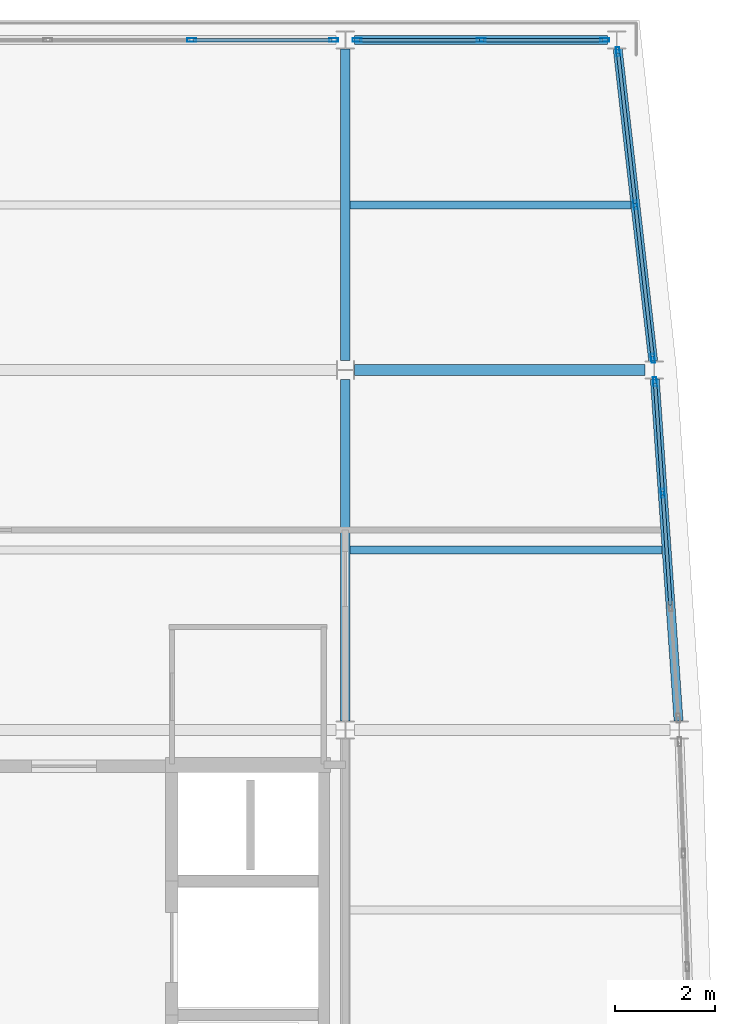
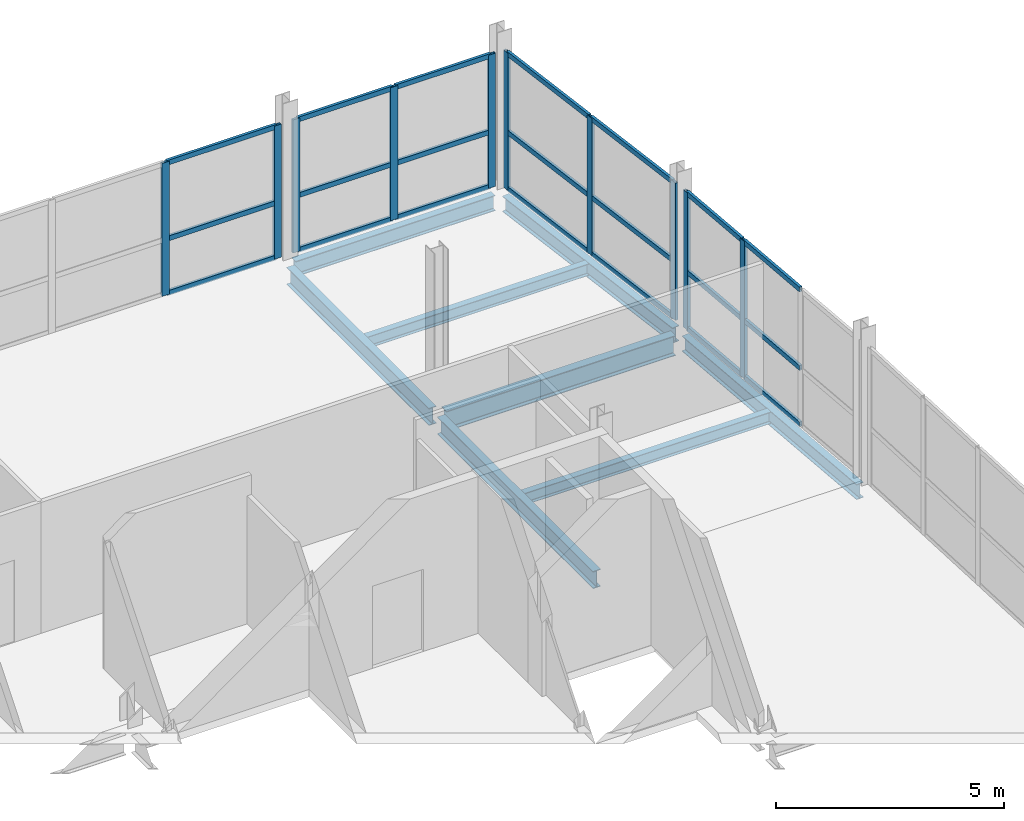
# One storey, part 9 of 16: 31 members, 8 beams, 4 elements without a shape of their own.
"""IFC4 building model written with IfcOpenShell, lengths in metres."""

import ifcopenshell
import ifcopenshell.guid

model = None  # the IFC model being written
_history = None  # IfcOwnerHistory: only IFC2X3 demands one
_inside = {}  # id of a spatial element -> (the spatial element, [elements in it])
_under = {}  # id of a project, library or spatial element -> (it, [spatial elements below it])
_declared = {}  # id of a project -> (the project, [libraries it declares])
_typed = {}  # id of a type object -> (the type object, [elements of that type])
_made_of = {}  # id of a material, layer set ... -> (it, [elements and type objects made of it])


def new_model(schema):
    """Start an empty IFC model of exactly this schema.

    Asked for "IFC4X3", IfcOpenShell would pick the latest addendum, in which some entities
    have other attributes; the version numbers below select the first issue.
    IFC2X3 requires an IfcOwnerHistory on every rooted entity: one is made here for all.
    """
    global model, _history
    if schema == "IFC4X3":
        model = ifcopenshell.file(schema_version=(4, 3, 0, 0))
    else:
        model = ifcopenshell.file(schema=schema)
    _inside.clear()
    _under.clear()
    _declared.clear()
    _typed.clear()
    _made_of.clear()
    _history = None
    if model.schema == "IFC2X3":
        org = make("IfcOrganization", Name="unknown")
        user = make(
            "IfcPersonAndOrganization",
            ThePerson=make("IfcPerson", FamilyName="unknown"),
            TheOrganization=org,
        )
        app = make(
            "IfcApplication",
            ApplicationDeveloper=org,
            Version="unknown",
            ApplicationFullName="unknown",
            ApplicationIdentifier="unknown",
        )
        _history = make(
            "IfcOwnerHistory",
            OwningUser=user,
            OwningApplication=app,
            ChangeAction="ADDED",
            CreationDate=0,
        )
    return model


def make(cls, **values):
    """One entity of the class cls with the attributes given. An attribute that is None is left unset."""
    return model.create_entity(
        cls, **{name: value for name, value in values.items() if value is not None}
    )


def rooted(cls, **values):
    """An entity with a GlobalId (a new one), such as an element, a storey or a relation."""
    return make(cls, GlobalId=ifcopenshell.guid.new(), OwnerHistory=_history, **values)


def si_unit(unit_type, name, prefix=None):
    """IfcSIUnit, for example si_unit("LENGTHUNIT", "METRE", prefix="MILLI")."""
    return make("IfcSIUnit", UnitType=unit_type, Prefix=prefix, Name=name)


def assignment(units):
    """IfcUnitAssignment: the units of a project."""
    return None if units is None else make("IfcUnitAssignment", Units=units)


def point(xyz):
    """IfcCartesianPoint."""
    return None if xyz is None else make("IfcCartesianPoint", Coordinates=xyz)


def direction(xyz):
    """IfcDirection."""
    return None if xyz is None else make("IfcDirection", DirectionRatios=xyz)


def frame(location, z_axis=None, x_axis=None):
    """IfcAxis2Placement3D, a coordinate frame: its origin and axes. An axis left out is left unset."""
    return make(
        "IfcAxis2Placement3D",
        Location=point(location),
        Axis=direction(z_axis),
        RefDirection=direction(x_axis),
    )


def frame_2d(location, x_axis=None):
    """IfcAxis2Placement2D, a coordinate frame in the plane: its origin and x axis."""
    return make(
        "IfcAxis2Placement2D", Location=point(location), RefDirection=direction(x_axis)
    )


def origin():
    """The frame at (0, 0, 0) with its axes left unset."""
    return frame((0.0, 0.0, 0.0))


def origin_2d():
    """The frame at (0, 0) in the plane with its x axis left unset."""
    return frame_2d((0.0, 0.0))


def place(relative_to, where):
    """IfcLocalPlacement: puts the frame where relative to a parent placement (None: the world)."""
    return make(
        "IfcLocalPlacement", PlacementRelTo=relative_to, RelativePlacement=where
    )


def context(
    kind, dimensions, precision=None, world=None, true_north=None, identifier=None
):
    """IfcGeometricRepresentationContext, for example the 3D "Model" context."""
    return make(
        "IfcGeometricRepresentationContext",
        ContextIdentifier=identifier,
        ContextType=kind,
        CoordinateSpaceDimension=dimensions,
        Precision=precision,
        WorldCoordinateSystem=world,
        TrueNorth=true_north,
    )


def subcontext(parent, identifier, kind, view, scale=None):
    """IfcGeometricRepresentationSubContext, for example "Body" below "Model"."""
    return make(
        "IfcGeometricRepresentationSubContext",
        ContextIdentifier=identifier,
        ContextType=kind,
        ParentContext=parent,
        TargetScale=scale,
        TargetView=view,
    )


def project(units=None, contexts=None):
    """IfcProject with its units and contexts."""
    return rooted(
        "IfcProject",
        Name="project",
        RepresentationContexts=contexts,
        UnitsInContext=assignment(units),
    )


def spatial(cls, under=None, at=None, **own):
    """A site, building, storey or space (cls), placed at a placement, below another one or the project."""
    s = rooted(cls, ObjectPlacement=at, **own)
    if under is not None:
        _under.setdefault(under.id(), (under, []))[1].append(s)
    return s


def profile(cls, at=None, kind="AREA", **sizes):
    """A parametric profile (cls). Its sizes go by their IFC names, for example OverallWidth=200.0."""
    return make(cls, ProfileType=kind, Position=at, **sizes)


def hollow_rectangle(**sizes):
    """IfcRectangleHollowProfileDef."""
    return profile("IfcRectangleHollowProfileDef", **sizes)


def i_section(**sizes):
    """IfcIShapeProfileDef."""
    return profile("IfcIShapeProfileDef", **sizes)


def extrude(swept, where, along, depth):
    """IfcExtrudedAreaSolid: the profile swept, set in the frame where, extruded along a direction by depth."""
    return make(
        "IfcExtrudedAreaSolid",
        SweptArea=swept,
        Position=where,
        ExtrudedDirection=direction(along),
        Depth=depth,
    )


def shape(context_of_items, identifier, shape_type, items):
    """IfcShapeRepresentation: the items that make up one representation, for example the "Body"."""
    return make(
        "IfcShapeRepresentation",
        ContextOfItems=context_of_items,
        RepresentationIdentifier=identifier,
        RepresentationType=shape_type,
        Items=items,
    )


def material(Name=None, Category=None):
    """IfcMaterial."""
    return make("IfcMaterial", Name=Name, Category=Category)


def layer(
    of_material, thickness, ventilated=None, Name=None, Category=None, Priority=None
):
    """IfcMaterialLayer: one layer of a wall or slab, of a material (None: an air gap)."""
    return make(
        "IfcMaterialLayer",
        Material=of_material,
        LayerThickness=thickness,
        IsVentilated=ventilated,
        Name=Name,
        Category=Category,
        Priority=Priority,
    )


def layer_set(layers, Name=None):
    """IfcMaterialLayerSet."""
    return make("IfcMaterialLayerSet", MaterialLayers=layers, LayerSetName=Name)


def material_profile(
    of_material, cross_section, Name=None, Category=None, Priority=None
):
    """IfcMaterialProfile: a cross section and its material."""
    return make(
        "IfcMaterialProfile",
        Name=Name,
        Material=of_material,
        Profile=cross_section,
        Priority=Priority,
        Category=Category,
    )


def profile_set(profiles, Name=None, composite=None):
    """IfcMaterialProfileSet."""
    return make(
        "IfcMaterialProfileSet",
        Name=Name,
        MaterialProfiles=profiles,
        CompositeProfile=composite,
    )


def made_of(thing, what):
    """Note that an element or type object is made of a material, layer set ...; save() writes the relation."""
    if what is not None:
        _made_of.setdefault(what.id(), (what, []))[1].append(thing)
    return thing


def type_object(cls, material=None, **own):
    """A type object (cls), such as IfcWallType, which elements share."""
    return made_of(rooted(cls, **own), material)


def element(
    cls,
    number,
    at=None,
    inside=None,
    cuts=None,
    type_object=None,
    material=None,
    context=None,
    identifier="Body",
    shape_type=None,
    held_by="IfcProductDefinitionShape",
    body=None,
    shapes=None,
    **own,
):
    """One element of the class cls, such as IfcWall. Its Tag is "e" and its number.

    at: its placement. inside: the storey or other place that contains it. cuts: it is an
    opening in that element (IfcRelVoidsElement). A single representation is given by context,
    identifier, shape_type and body (its items); several are given by shapes. held_by: the class
    of the entity that holds the representations. save() writes the other relations.
    """
    e = rooted(cls, Tag="e%d" % number, ObjectPlacement=at, **own)
    if body is not None:
        shapes = [shape(context, identifier, shape_type, body)]
    if shapes is not None:
        e.Representation = make(held_by, Representations=shapes)
    if inside is not None:
        _inside.setdefault(inside.id(), (inside, []))[1].append(e)
    if cuts is not None:
        rooted(
            "IfcRelVoidsElement", RelatingBuildingElement=cuts, RelatedOpeningElement=e
        )
    if type_object is not None:
        _typed.setdefault(type_object.id(), (type_object, []))[1].append(e)
    return made_of(e, material)


def aggregate(whole, parts):
    """IfcRelAggregates: a whole, such as a stair, and the parts it consists of."""
    return rooted("IfcRelAggregates", RelatingObject=whole, RelatedObjects=parts)


def save(model, path):
    """Write the relations noted so far, then the file.

    IfcRelAggregates (storeys below a building ...), IfcRelContainedInSpatialStructure (elements
    in a storey), IfcRelDefinesByType, IfcRelAssociatesMaterial and IfcRelDeclares: one each for
    every whole, place, type object, material and project.
    """
    for whole, parts in _under.values():
        aggregate(whole, parts)
    for where, things in _inside.values():
        rooted(
            "IfcRelContainedInSpatialStructure",
            RelatedElements=things,
            RelatingStructure=where,
        )
    for kind, things in _typed.values():
        rooted("IfcRelDefinesByType", RelatedObjects=things, RelatingType=kind)
    for what, things in _made_of.values():
        rooted("IfcRelAssociatesMaterial", RelatedObjects=things, RelatingMaterial=what)
    for by, libraries in _declared.values():
        rooted("IfcRelDeclares", RelatingContext=by, RelatedDefinitions=libraries)
    model.write(path)


model = new_model("IFC4")

# Units and contexts
model_context = context("Model", 3, precision=1e-05, world=origin(), true_north=direction((0.0, 1.0)))
body_context = subcontext(model_context, "Body", "Model", "MODEL_VIEW")
ifc_project = project(units=[si_unit("LENGTHUNIT", "METRE"), si_unit("AREAUNIT", "SQUARE_METRE"), si_unit("VOLUMEUNIT", "CUBIC_METRE"), si_unit("PLANEANGLEUNIT", "RADIAN"), si_unit("MASSUNIT", "GRAM", prefix="KILO")], contexts=[model_context])

# Site, building, storey
site_placement = place(None, origin())
site = spatial("IfcSite", under=ifc_project, at=site_placement, CompositionType="ELEMENT")
building_placement = place(site_placement, origin())
building = spatial("IfcBuilding", under=site, at=building_placement, Name="Quillay Park Conservatory", CompositionType="ELEMENT")
storey_placement = place(building_placement, frame((0.0, 0.0, 43.5)))
storey = spatial("IfcBuildingStorey", under=building, at=storey_placement, Name="L10", CompositionType="ELEMENT", Elevation=43.5)

# Beams
ifc_material_1 = material(Name="Steel ASTM A992 Grade 50", Category="steel")
ifc_material_profile_1 = material_profile(ifc_material_1, i_section(OverallWidth=0.166015625, OverallDepth=0.31298828125, WebThickness=0.006591796875, FlangeThickness=0.01123046875, FilletRadius=0.010009765625, at=origin_2d()), Name="W310x45")
ifc_profile_set_1 = profile_set([ifc_material_profile_1], Name="Steel ASTM A992 Grade 50")
beam_type_1 = type_object("IfcBeamType", Name="COMPOSITE FLOOR JOIST W310 X45", PredefinedType="JOIST", material=ifc_profile_set_1)
beam_1_placement = place(storey_placement, frame((19.845947265625, 103.199951171875, -0.3564453125), z_axis=(1.0, 0.0, 0.0), x_axis=(0.0, 1.0, 0.0)))
element("IfcBeam", 1, at=beam_1_placement, inside=storey, type_object=beam_type_1, Name="L10 beam BM-J-0759", PredefinedType="JOIST", context=body_context, shape_type="SweptSolid", body=[
    extrude(i_section(OverallWidth=0.166015625, OverallDepth=0.31298828125, WebThickness=0.006591796875, FlangeThickness=0.01123046875, FilletRadius=0.010009765625, at=origin_2d()), origin(), (0.0, 0.0, 1.0), 6.239013671875),
])
beam_2_placement = place(storey_placement, frame((19.845947265625, 110.10009765625, -0.3564453125), z_axis=(1.0, 0.0, 0.0), x_axis=(0.0, 1.0, 0.0)))
element("IfcBeam", 2, at=beam_2_placement, inside=storey, type_object=beam_type_1, Name="L10 beam BM-J-0766", PredefinedType="JOIST", context=body_context, shape_type="SweptSolid", body=[
    extrude(i_section(OverallWidth=0.166015625, OverallDepth=0.31298828125, WebThickness=0.006591796875, FlangeThickness=0.01123046875, FilletRadius=0.010009765625, at=origin_2d()), origin(), (0.0, 0.0, 1.0), 5.614013671875),
])

# Curtain wall, members
ifc_material_2 = material(Name="Thermally Broken Anodised Aluminium 6063-T6", Category="aluminium")
ifc_layer = layer(ifc_material_2, 0.179931640625)
ifc_layer_set = layer_set([ifc_layer], Name="UNITISED CURTAIN WALL TOWER (Thermally Broken Anodised Aluminium 6063-T6)")
curtain_wall_type = type_object("IfcCurtainWallType", Name="UNITISED CURTAIN WALL TOWER", PredefinedType="USERDEFINED", material=ifc_layer_set)
curtain_wall_1_placement = place(storey_placement, origin())
curtain_wall_1 = element("IfcCurtainWall", 3, at=curtain_wall_1_placement, inside=storey, type_object=curtain_wall_type, Name="L10 Unitised Curtain Wall 100", ObjectType="UNITISED CURTAIN WALL", PredefinedType="USERDEFINED")
ifc_material_3 = material(Name="Thermally Broken Anodised Aluminium 6063-T6", Category="aluminium")
ifc_material_profile_2 = material_profile(ifc_material_3, hollow_rectangle(XDim=0.070068359375, YDim=0.179931640625, WallThickness=0.00390625, at=origin_2d()), Name="AL70x180x4")
ifc_profile_set_2 = profile_set([ifc_material_profile_2], Name="Thermally Broken Anodised Aluminium 6063-T6")
member_type_1 = type_object("IfcMemberType", Name="CURTAIN WALL MULLION 70 X180", PredefinedType="MULLION", material=ifc_profile_set_2)
member_1_placement = place(storey_placement, frame((25.94140625, 106.565673828125, 0.0), z_axis=(0.0, 0.0, 1.0), x_axis=(0.99759835015, 0.069264217159, 0.0)))
member_1 = element("IfcMember", 4, at=member_1_placement, type_object=member_type_1, Name="CW-T1 mullion 1", PredefinedType="MULLION", context=body_context, shape_type="SweptSolid", body=[
    extrude(hollow_rectangle(XDim=0.070068359375, YDim=0.179931640625, WallThickness=0.00390625, at=origin_2d()), origin(), (0.0, 0.0, 1.0), 3.677001953125),
])
member_2_placement = place(storey_placement, frame((26.09619140625, 104.33349609375, 0.0), z_axis=(0.0, 0.0, 1.0), x_axis=(0.99759835015, 0.069264217159, 0.0)))
member_2 = element("IfcMember", 5, at=member_2_placement, type_object=member_type_1, Name="CW-T1 mullion 2", PredefinedType="MULLION", context=body_context, shape_type="SweptSolid", body=[
    extrude(hollow_rectangle(XDim=0.070068359375, YDim=0.179931640625, WallThickness=0.00390625, at=origin_2d()), origin(), (0.0, 0.0, 1.0), 3.677001953125),
])

curtain_wall_2_placement = place(storey_placement, origin())
curtain_wall_2 = element("IfcCurtainWall", 6, at=curtain_wall_2_placement, inside=storey, type_object=curtain_wall_type, Name="L10 Unitised Curtain Wall 101", ObjectType="UNITISED CURTAIN WALL", PredefinedType="USERDEFINED")
member_3_placement = place(storey_placement, frame((25.20166015625, 113.16650390625, 0.0), z_axis=(0.0, 0.0, 1.0), x_axis=(0.993605989969, 0.112903218278, 0.0)))
member_3 = element("IfcMember", 7, at=member_3_placement, type_object=member_type_1, Name="CW-T1 mullion 1", PredefinedType="MULLION", context=body_context, shape_type="SweptSolid", body=[
    extrude(hollow_rectangle(XDim=0.070068359375, YDim=0.179931640625, WallThickness=0.00390625, at=origin_2d()), origin(), (0.0, 0.0, 1.0), 3.677001953125),
])
member_4_placement = place(storey_placement, frame((25.550048828125, 110.10009765625, 0.0), z_axis=(0.0, 0.0, 1.0), x_axis=(0.993605989969, 0.112903218278, 0.0)))
member_4 = element("IfcMember", 8, at=member_4_placement, type_object=member_type_1, Name="CW-T1 mullion 2", PredefinedType="MULLION", context=body_context, shape_type="SweptSolid", body=[
    extrude(hollow_rectangle(XDim=0.070068359375, YDim=0.179931640625, WallThickness=0.00390625, at=origin_2d()), origin(), (0.0, 0.0, 1.0), 3.677001953125),
])
member_5_placement = place(storey_placement, frame((25.8984375, 107.033447265625, 0.0), z_axis=(0.0, 0.0, 1.0), x_axis=(0.993605989969, 0.112903218278, 0.0)))
member_5 = element("IfcMember", 9, at=member_5_placement, type_object=member_type_1, Name="CW-T1 mullion 3", PredefinedType="MULLION", context=body_context, shape_type="SweptSolid", body=[
    extrude(hollow_rectangle(XDim=0.070068359375, YDim=0.179931640625, WallThickness=0.00390625, at=origin_2d()), origin(), (0.0, 0.0, 1.0), 3.677001953125),
])

curtain_wall_3_placement = place(storey_placement, origin())
curtain_wall_3 = element("IfcCurtainWall", 10, at=curtain_wall_3_placement, inside=storey, type_object=curtain_wall_type, Name="L10 Unitised Curtain Wall 103", ObjectType="UNITISED CURTAIN WALL", PredefinedType="USERDEFINED")
member_6_placement = place(storey_placement, frame((16.675048828125, 113.39990234375, 0.0), z_axis=(0.0, 0.0, 1.0), x_axis=(0.0, 1.0, 0.0)))
member_6 = element("IfcMember", 11, at=member_6_placement, type_object=member_type_1, Name="CW-T1 mullion 4", PredefinedType="MULLION", context=body_context, shape_type="SweptSolid", body=[
    extrude(hollow_rectangle(XDim=0.070068359375, YDim=0.179931640625, WallThickness=0.00390625, at=origin_2d()), origin(), (0.0, 0.0, 1.0), 3.56396484375),
])
member_7_placement = place(storey_placement, frame((19.514892578125, 113.39990234375, 0.0), z_axis=(0.0, 0.0, 1.0), x_axis=(0.0, 1.0, 0.0)))
member_7 = element("IfcMember", 12, at=member_7_placement, type_object=member_type_1, Name="CW-T1 mullion 5", PredefinedType="MULLION", context=body_context, shape_type="SweptSolid", body=[
    extrude(hollow_rectangle(XDim=0.070068359375, YDim=0.179931640625, WallThickness=0.00390625, at=origin_2d()), origin(), (0.0, 0.0, 1.0), 3.56396484375),
])

curtain_wall_4_placement = place(storey_placement, origin())
curtain_wall_4 = element("IfcCurtainWall", 13, at=curtain_wall_4_placement, inside=storey, type_object=curtain_wall_type, Name="L10 Unitised Curtain Wall 104", ObjectType="UNITISED CURTAIN WALL", PredefinedType="USERDEFINED")
member_8_placement = place(storey_placement, frame((19.985107421875, 113.39990234375, 0.0), z_axis=(0.0, 0.0, 1.0), x_axis=(0.0, 1.0, 0.0)))
member_8 = element("IfcMember", 14, at=member_8_placement, type_object=member_type_1, Name="CW-T1 mullion 1", PredefinedType="MULLION", context=body_context, shape_type="SweptSolid", body=[
    extrude(hollow_rectangle(XDim=0.070068359375, YDim=0.179931640625, WallThickness=0.00390625, at=origin_2d()), origin(), (0.0, 0.0, 1.0), 3.56396484375),
])
member_9_placement = place(storey_placement, frame((22.46240234375, 113.39990234375, 0.0), z_axis=(0.0, 0.0, 1.0), x_axis=(0.0, 1.0, 0.0)))
member_9 = element("IfcMember", 15, at=member_9_placement, type_object=member_type_1, Name="CW-T1 mullion 2", PredefinedType="MULLION", context=body_context, shape_type="SweptSolid", body=[
    extrude(hollow_rectangle(XDim=0.070068359375, YDim=0.179931640625, WallThickness=0.00390625, at=origin_2d()), origin(), (0.0, 0.0, 1.0), 3.56396484375),
])
member_10_placement = place(storey_placement, frame((24.93994140625, 113.39990234375, 0.0), z_axis=(0.0, 0.0, 1.0), x_axis=(0.0, 1.0, 0.0)))
member_10 = element("IfcMember", 16, at=member_10_placement, type_object=member_type_1, Name="CW-T1 mullion 3", PredefinedType="MULLION", context=body_context, shape_type="SweptSolid", body=[
    extrude(hollow_rectangle(XDim=0.070068359375, YDim=0.179931640625, WallThickness=0.00390625, at=origin_2d()), origin(), (0.0, 0.0, 1.0), 3.56396484375),
])

# Member
ifc_material_4 = material(Name="Thermally Broken Anodised Aluminium 6063-T6", Category="aluminium")
ifc_material_profile_3 = material_profile(ifc_material_4, hollow_rectangle(XDim=0.070068359375, YDim=0.1298828125, WallThickness=0.003173828125, at=origin_2d()), Name="AL70x130x3.2")
ifc_profile_set_3 = profile_set([ifc_material_profile_3], Name="Thermally Broken Anodised Aluminium 6063-T6")
member_type_2 = type_object("IfcMemberType", Name="CURTAIN WALL TRANSOM 70 X130", PredefinedType="USERDEFINED", material=ifc_profile_set_3)
member_11_placement = place(storey_placement, frame((25.94384765625, 106.53076171875, 0.034912109375), z_axis=(0.069269814421, -0.997597961511, 0.0), x_axis=(0.997597961511, 0.069269814421, 0.0)))
member_11 = element("IfcMember", 17, at=member_11_placement, type_object=member_type_2, Name="CW-T1 transom 1.1", ObjectType="TRANSOM", PredefinedType="USERDEFINED", context=body_context, shape_type="SweptSolid", body=[
    extrude(hollow_rectangle(XDim=0.070068359375, YDim=0.1298828125, WallThickness=0.003173828125, at=origin_2d()), origin(), (0.0, 0.0, 1.0), 2.16748046875),
])

member_12_placement = place(storey_placement, frame((25.94384765625, 106.53076171875, 1.544189453125), z_axis=(0.069269814421, -0.997597961511, 0.0), x_axis=(0.997597961511, 0.069269814421, 0.0)))
member_12 = element("IfcMember", 18, at=member_12_placement, type_object=member_type_2, Name="CW-T1 transom 1.2", ObjectType="TRANSOM", PredefinedType="USERDEFINED", context=body_context, shape_type="SweptSolid", body=[
    extrude(hollow_rectangle(XDim=0.070068359375, YDim=0.1298828125, WallThickness=0.003173828125, at=origin_2d()), origin(), (0.0, 0.0, 1.0), 2.16748046875),
])

member_13_placement = place(storey_placement, frame((25.94384765625, 106.53076171875, 3.64208984375), z_axis=(0.069269814421, -0.997597961511, 0.0), x_axis=(0.997597961511, 0.069269814421, 0.0)))
member_13 = element("IfcMember", 19, at=member_13_placement, type_object=member_type_2, Name="CW-T1 transom 1.3", ObjectType="TRANSOM", PredefinedType="USERDEFINED", context=body_context, shape_type="SweptSolid", body=[
    extrude(hollow_rectangle(XDim=0.070068359375, YDim=0.1298828125, WallThickness=0.003173828125, at=origin_2d()), origin(), (0.0, 0.0, 1.0), 2.16748046875),
])

member_14_placement = place(storey_placement, frame((26.0986328125, 104.298583984375, 0.034912109375), z_axis=(0.069277598678, -0.997597420968, 0.0), x_axis=(0.997597420968, 0.069277598678, 0.0)))
member_14 = element("IfcMember", 20, at=member_14_placement, type_object=member_type_2, Name="CW-T1 transom 2.1", ObjectType="TRANSOM", PredefinedType="USERDEFINED", context=body_context, shape_type="SweptSolid", body=[
    extrude(hollow_rectangle(XDim=0.070068359375, YDim=0.1298828125, WallThickness=0.003173828125, at=origin_2d()), origin(), (0.0, 0.0, 1.0), 2.20263671875),
])

member_15_placement = place(storey_placement, frame((26.0986328125, 104.298583984375, 1.544189453125), z_axis=(0.069277598678, -0.997597420968, 0.0), x_axis=(0.997597420968, 0.069277598678, 0.0)))
member_15 = element("IfcMember", 21, at=member_15_placement, type_object=member_type_2, Name="CW-T1 transom 2.2", ObjectType="TRANSOM", PredefinedType="USERDEFINED", context=body_context, shape_type="SweptSolid", body=[
    extrude(hollow_rectangle(XDim=0.070068359375, YDim=0.1298828125, WallThickness=0.003173828125, at=origin_2d()), origin(), (0.0, 0.0, 1.0), 2.20263671875),
])

member_16_placement = place(storey_placement, frame((26.0986328125, 104.298583984375, 3.64208984375), z_axis=(0.069277598678, -0.997597420968, 0.0), x_axis=(0.997597420968, 0.069277598678, 0.0)))
member_16 = element("IfcMember", 22, at=member_16_placement, type_object=member_type_2, Name="CW-T1 transom 2.3", ObjectType="TRANSOM", PredefinedType="USERDEFINED", context=body_context, shape_type="SweptSolid", body=[
    extrude(hollow_rectangle(XDim=0.070068359375, YDim=0.1298828125, WallThickness=0.003173828125, at=origin_2d()), origin(), (0.0, 0.0, 1.0), 2.20263671875),
])

aggregate(curtain_wall_1, [member_1, member_2, member_11, member_12, member_13, member_14, member_15, member_16])

member_17_placement = place(storey_placement, frame((25.20556640625, 113.1318359375, 0.034912109375), z_axis=(0.112909688044, -0.99360525479, 0.0), x_axis=(0.99360525479, 0.112909688044, 0.0)))
member_17 = element("IfcMember", 23, at=member_17_placement, type_object=member_type_2, Name="CW-T1 transom 1.1", ObjectType="TRANSOM", PredefinedType="USERDEFINED", context=body_context, shape_type="SweptSolid", body=[
    extrude(hollow_rectangle(XDim=0.070068359375, YDim=0.1298828125, WallThickness=0.003173828125, at=origin_2d()), origin(), (0.0, 0.0, 1.0), 3.016357421875),
])

member_18_placement = place(storey_placement, frame((25.20556640625, 113.1318359375, 1.544189453125), z_axis=(0.112909688044, -0.99360525479, 0.0), x_axis=(0.99360525479, 0.112909688044, 0.0)))
member_18 = element("IfcMember", 24, at=member_18_placement, type_object=member_type_2, Name="CW-T1 transom 1.2", ObjectType="TRANSOM", PredefinedType="USERDEFINED", context=body_context, shape_type="SweptSolid", body=[
    extrude(hollow_rectangle(XDim=0.070068359375, YDim=0.1298828125, WallThickness=0.003173828125, at=origin_2d()), origin(), (0.0, 0.0, 1.0), 3.016357421875),
])

member_19_placement = place(storey_placement, frame((25.20556640625, 113.1318359375, 3.64208984375), z_axis=(0.112909688044, -0.99360525479, 0.0), x_axis=(0.99360525479, 0.112909688044, 0.0)))
member_19 = element("IfcMember", 25, at=member_19_placement, type_object=member_type_2, Name="CW-T1 transom 1.3", ObjectType="TRANSOM", PredefinedType="USERDEFINED", context=body_context, shape_type="SweptSolid", body=[
    extrude(hollow_rectangle(XDim=0.070068359375, YDim=0.1298828125, WallThickness=0.003173828125, at=origin_2d()), origin(), (0.0, 0.0, 1.0), 3.016357421875),
])

member_20_placement = place(storey_placement, frame((25.553955078125, 110.065185546875, 0.034912109375), z_axis=(0.112918769109, -0.993604222808, 0.0), x_axis=(0.993604222808, 0.112918769109, 0.0)))
member_20 = element("IfcMember", 26, at=member_20_placement, type_object=member_type_2, Name="CW-T1 transom 2.1", ObjectType="TRANSOM", PredefinedType="USERDEFINED", context=body_context, shape_type="SweptSolid", body=[
    extrude(hollow_rectangle(XDim=0.070068359375, YDim=0.1298828125, WallThickness=0.003173828125, at=origin_2d()), origin(), (0.0, 0.0, 1.0), 3.01611328125),
])

member_21_placement = place(storey_placement, frame((25.553955078125, 110.065185546875, 1.544189453125), z_axis=(0.112918769109, -0.993604222808, 0.0), x_axis=(0.993604222808, 0.112918769109, 0.0)))
member_21 = element("IfcMember", 27, at=member_21_placement, type_object=member_type_2, Name="CW-T1 transom 2.2", ObjectType="TRANSOM", PredefinedType="USERDEFINED", context=body_context, shape_type="SweptSolid", body=[
    extrude(hollow_rectangle(XDim=0.070068359375, YDim=0.1298828125, WallThickness=0.003173828125, at=origin_2d()), origin(), (0.0, 0.0, 1.0), 3.01611328125),
])

member_22_placement = place(storey_placement, frame((25.553955078125, 110.065185546875, 3.64208984375), z_axis=(0.112918769109, -0.993604222808, 0.0), x_axis=(0.993604222808, 0.112918769109, 0.0)))
member_22 = element("IfcMember", 28, at=member_22_placement, type_object=member_type_2, Name="CW-T1 transom 2.3", ObjectType="TRANSOM", PredefinedType="USERDEFINED", context=body_context, shape_type="SweptSolid", body=[
    extrude(hollow_rectangle(XDim=0.070068359375, YDim=0.1298828125, WallThickness=0.003173828125, at=origin_2d()), origin(), (0.0, 0.0, 1.0), 3.01611328125),
])

aggregate(curtain_wall_2, [member_3, member_4, member_5, member_17, member_18, member_19, member_20, member_21, member_22])

member_23_placement = place(storey_placement, frame((16.7099609375, 113.39990234375, 0.034912109375), z_axis=(1.0, 0.0, 0.0), x_axis=(0.0, 1.0, 0.0)))
member_23 = element("IfcMember", 29, at=member_23_placement, type_object=member_type_2, Name="CW-T1 transom 4.1", ObjectType="TRANSOM", PredefinedType="USERDEFINED", context=body_context, shape_type="SweptSolid", body=[
    extrude(hollow_rectangle(XDim=0.070068359375, YDim=0.1298828125, WallThickness=0.003173828125, at=origin_2d()), origin(), (0.0, 0.0, 1.0), 2.77001953125),
])

member_24_placement = place(storey_placement, frame((16.7099609375, 113.39990234375, 1.496826171875), z_axis=(1.0, 0.0, 0.0), x_axis=(0.0, 1.0, 0.0)))
member_24 = element("IfcMember", 30, at=member_24_placement, type_object=member_type_2, Name="CW-T1 transom 4.2", ObjectType="TRANSOM", PredefinedType="USERDEFINED", context=body_context, shape_type="SweptSolid", body=[
    extrude(hollow_rectangle(XDim=0.070068359375, YDim=0.1298828125, WallThickness=0.003173828125, at=origin_2d()), origin(), (0.0, 0.0, 1.0), 2.77001953125),
])

member_25_placement = place(storey_placement, frame((16.7099609375, 113.39990234375, 3.529052734375), z_axis=(1.0, 0.0, 0.0), x_axis=(0.0, 1.0, 0.0)))
member_25 = element("IfcMember", 31, at=member_25_placement, type_object=member_type_2, Name="CW-T1 transom 4.3", ObjectType="TRANSOM", PredefinedType="USERDEFINED", context=body_context, shape_type="SweptSolid", body=[
    extrude(hollow_rectangle(XDim=0.070068359375, YDim=0.1298828125, WallThickness=0.003173828125, at=origin_2d()), origin(), (0.0, 0.0, 1.0), 2.77001953125),
])

aggregate(curtain_wall_3, [member_6, member_7, member_23, member_24, member_25])

member_26_placement = place(storey_placement, frame((20.02001953125, 113.39990234375, 0.034912109375), z_axis=(1.0, 0.0, 0.0), x_axis=(0.0, 1.0, 0.0)))
member_26 = element("IfcMember", 32, at=member_26_placement, type_object=member_type_2, Name="CW-T1 transom 1.1", ObjectType="TRANSOM", PredefinedType="USERDEFINED", context=body_context, shape_type="SweptSolid", body=[
    extrude(hollow_rectangle(XDim=0.070068359375, YDim=0.1298828125, WallThickness=0.003173828125, at=origin_2d()), origin(), (0.0, 0.0, 1.0), 2.407470703125),
])

member_27_placement = place(storey_placement, frame((20.02001953125, 113.39990234375, 1.496826171875), z_axis=(1.0, 0.0, 0.0), x_axis=(0.0, 1.0, 0.0)))
member_27 = element("IfcMember", 33, at=member_27_placement, type_object=member_type_2, Name="CW-T1 transom 1.2", ObjectType="TRANSOM", PredefinedType="USERDEFINED", context=body_context, shape_type="SweptSolid", body=[
    extrude(hollow_rectangle(XDim=0.070068359375, YDim=0.1298828125, WallThickness=0.003173828125, at=origin_2d()), origin(), (0.0, 0.0, 1.0), 2.407470703125),
])

member_28_placement = place(storey_placement, frame((20.02001953125, 113.39990234375, 3.529052734375), z_axis=(1.0, 0.0, 0.0), x_axis=(0.0, 1.0, 0.0)))
member_28 = element("IfcMember", 34, at=member_28_placement, type_object=member_type_2, Name="CW-T1 transom 1.3", ObjectType="TRANSOM", PredefinedType="USERDEFINED", context=body_context, shape_type="SweptSolid", body=[
    extrude(hollow_rectangle(XDim=0.070068359375, YDim=0.1298828125, WallThickness=0.003173828125, at=origin_2d()), origin(), (0.0, 0.0, 1.0), 2.407470703125),
])

member_29_placement = place(storey_placement, frame((22.49755859375, 113.39990234375, 0.034912109375), z_axis=(1.0, 0.0, 0.0), x_axis=(0.0, 1.0, 0.0)))
member_29 = element("IfcMember", 35, at=member_29_placement, type_object=member_type_2, Name="CW-T1 transom 2.1", ObjectType="TRANSOM", PredefinedType="USERDEFINED", context=body_context, shape_type="SweptSolid", body=[
    extrude(hollow_rectangle(XDim=0.070068359375, YDim=0.1298828125, WallThickness=0.003173828125, at=origin_2d()), origin(), (0.0, 0.0, 1.0), 2.407470703125),
])

member_30_placement = place(storey_placement, frame((22.49755859375, 113.39990234375, 1.496826171875), z_axis=(1.0, 0.0, 0.0), x_axis=(0.0, 1.0, 0.0)))
member_30 = element("IfcMember", 36, at=member_30_placement, type_object=member_type_2, Name="CW-T1 transom 2.2", ObjectType="TRANSOM", PredefinedType="USERDEFINED", context=body_context, shape_type="SweptSolid", body=[
    extrude(hollow_rectangle(XDim=0.070068359375, YDim=0.1298828125, WallThickness=0.003173828125, at=origin_2d()), origin(), (0.0, 0.0, 1.0), 2.407470703125),
])

member_31_placement = place(storey_placement, frame((22.49755859375, 113.39990234375, 3.529052734375), z_axis=(1.0, 0.0, 0.0), x_axis=(0.0, 1.0, 0.0)))
member_31 = element("IfcMember", 37, at=member_31_placement, type_object=member_type_2, Name="CW-T1 transom 2.3", ObjectType="TRANSOM", PredefinedType="USERDEFINED", context=body_context, shape_type="SweptSolid", body=[
    extrude(hollow_rectangle(XDim=0.070068359375, YDim=0.1298828125, WallThickness=0.003173828125, at=origin_2d()), origin(), (0.0, 0.0, 1.0), 2.407470703125),
])

aggregate(curtain_wall_4, [member_8, member_9, member_10, member_26, member_27, member_28, member_29, member_30, member_31])

# Beams
ifc_material_5 = material(Name="Steel ASTM A992 Grade 50", Category="steel")
ifc_material_profile_4 = material_profile(ifc_material_5, i_section(OverallWidth=0.179931640625, OverallDepth=0.4130859375, WebThickness=0.009765625, FlangeThickness=0.01611328125, FilletRadius=0.011962890625, at=origin_2d()), Name="W410x74")
ifc_profile_set_4 = profile_set([ifc_material_profile_4], Name="Steel ASTM A992 Grade 50")
beam_type_2 = type_object("IfcBeamType", Name="PERIMETER SPANDREL BEAM W410 X74", PredefinedType="SPANDREL", material=ifc_profile_set_4)
beam_3_placement = place(storey_placement, frame((19.935546875, 113.39990234375, -0.406494140625), z_axis=(1.0, 0.0, 0.0), x_axis=(0.0, 1.0, 0.0)))
element("IfcBeam", 38, at=beam_3_placement, inside=storey, type_object=beam_type_2, Name="L10 beam BM-SP-0728", PredefinedType="SPANDREL", context=body_context, shape_type="SweptSolid", body=[
    extrude(i_section(OverallWidth=0.179931640625, OverallDepth=0.4130859375, WebThickness=0.009765625, FlangeThickness=0.01611328125, FilletRadius=0.011962890625, at=origin_2d()), origin(), (0.0, 0.0, 1.0), 5.053955078125),
])
beam_4_placement = place(storey_placement, frame((26.412353515625, 99.781494140625, -0.406494140625), z_axis=(-0.069287446563, 0.997596737038, 0.0), x_axis=(-0.997596737038, -0.069287446563, 0.0)))
element("IfcBeam", 39, at=beam_4_placement, inside=storey, type_object=beam_type_2, Name="L10 beam BM-SPE-0755", PredefinedType="SPANDREL", context=body_context, shape_type="SweptSolid", body=[
    extrude(i_section(OverallWidth=0.179931640625, OverallDepth=0.4130859375, WebThickness=0.009765625, FlangeThickness=0.01611328125, FilletRadius=0.011962890625, at=origin_2d()), origin(), (0.0, 0.0, 1.0), 6.853271484375),
])
beam_5_placement = place(storey_placement, frame((25.904541015625, 106.980712890625, -0.406494140625), z_axis=(-0.112919285123, 0.993604164166, 0.0), x_axis=(-0.993604164166, -0.112919285123, 0.0)))
element("IfcBeam", 40, at=beam_5_placement, inside=storey, type_object=beam_type_2, Name="L10 beam BM-SPE-0762", PredefinedType="SPANDREL", context=body_context, shape_type="SweptSolid", body=[
    extrude(i_section(OverallWidth=0.179931640625, OverallDepth=0.4130859375, WebThickness=0.009765625, FlangeThickness=0.01611328125, FilletRadius=0.011962890625, at=origin_2d()), origin(), (0.0, 0.0, 1.0), 6.278564453125),
])
ifc_material_6 = material(Name="Steel ASTM A992 Grade 50", Category="steel")
ifc_material_profile_5 = material_profile(ifc_material_6, i_section(OverallWidth=0.19189453125, OverallDepth=0.462890625, WebThickness=0.010498046875, FlangeThickness=0.017578125, FilletRadius=0.012939453125, at=origin_2d()), Name="W460x89")
ifc_profile_set_5 = profile_set([ifc_material_profile_5], Name="Steel ASTM A992 Grade 50")
beam_type_3 = type_object("IfcBeamType", Name="PRIMARY FLOOR GIRDER W460 X89", PredefinedType="BEAM", material=ifc_profile_set_5)
beam_6_placement = place(storey_placement, frame((19.75, 99.781982421875, -0.431396484375), z_axis=(0.0, 1.0, 0.0), x_axis=(-1.0, 0.0, 0.0)))
element("IfcBeam", 41, at=beam_6_placement, inside=storey, type_object=beam_type_3, Name="L10 beam BM-GNS-0757", PredefinedType="BEAM", context=body_context, shape_type="SweptSolid", body=[
    extrude(i_section(OverallWidth=0.19189453125, OverallDepth=0.462890625, WebThickness=0.010498046875, FlangeThickness=0.017578125, FilletRadius=0.012939453125, at=origin_2d()), origin(), (0.0, 0.0, 1.0), 6.83251953125),
])
beam_7_placement = place(storey_placement, frame((19.75, 106.985595703125, -0.431396484375), z_axis=(0.0, 1.0, 0.0), x_axis=(-1.0, 0.0, 0.0)))
element("IfcBeam", 42, at=beam_7_placement, inside=storey, type_object=beam_type_3, Name="L10 beam BM-GNS-0764", PredefinedType="BEAM", context=body_context, shape_type="SweptSolid", body=[
    extrude(i_section(OverallWidth=0.19189453125, OverallDepth=0.462890625, WebThickness=0.010498046875, FlangeThickness=0.017578125, FilletRadius=0.012939453125, at=origin_2d()), origin(), (0.0, 0.0, 1.0), 6.232421875),
])
ifc_material_7 = material(Name="Steel ASTM A992 Grade 50", Category="steel")
ifc_material_profile_6 = material_profile(ifc_material_7, i_section(OverallWidth=0.2109375, OverallDepth=0.5390625, WebThickness=0.01171875, FlangeThickness=0.018798828125, FilletRadius=0.013916015625, at=origin_2d()), Name="W530x109")
ifc_profile_set_6 = profile_set([ifc_material_profile_6], Name="Steel ASTM A992 Grade 50")
beam_type_4 = type_object("IfcBeamType", Name="PRIMARY FLOOR GIRDER W530 X109", PredefinedType="BEAM", material=ifc_profile_set_6)
beam_8_placement = place(storey_placement, frame((19.931884765625, 106.800048828125, -0.469482421875), z_axis=(1.0, 0.0, 0.0), x_axis=(0.0, 1.0, 0.0)))
element("IfcBeam", 43, at=beam_8_placement, inside=storey, type_object=beam_type_4, Name="L10 beam BM-G-0725", PredefinedType="BEAM", context=body_context, shape_type="SweptSolid", body=[
    extrude(i_section(OverallWidth=0.2109375, OverallDepth=0.5390625, WebThickness=0.01171875, FlangeThickness=0.018798828125, FilletRadius=0.013916015625, at=origin_2d()), origin(), (0.0, 0.0, 1.0), 5.8076171875),
])

save(model, "model.ifc")
